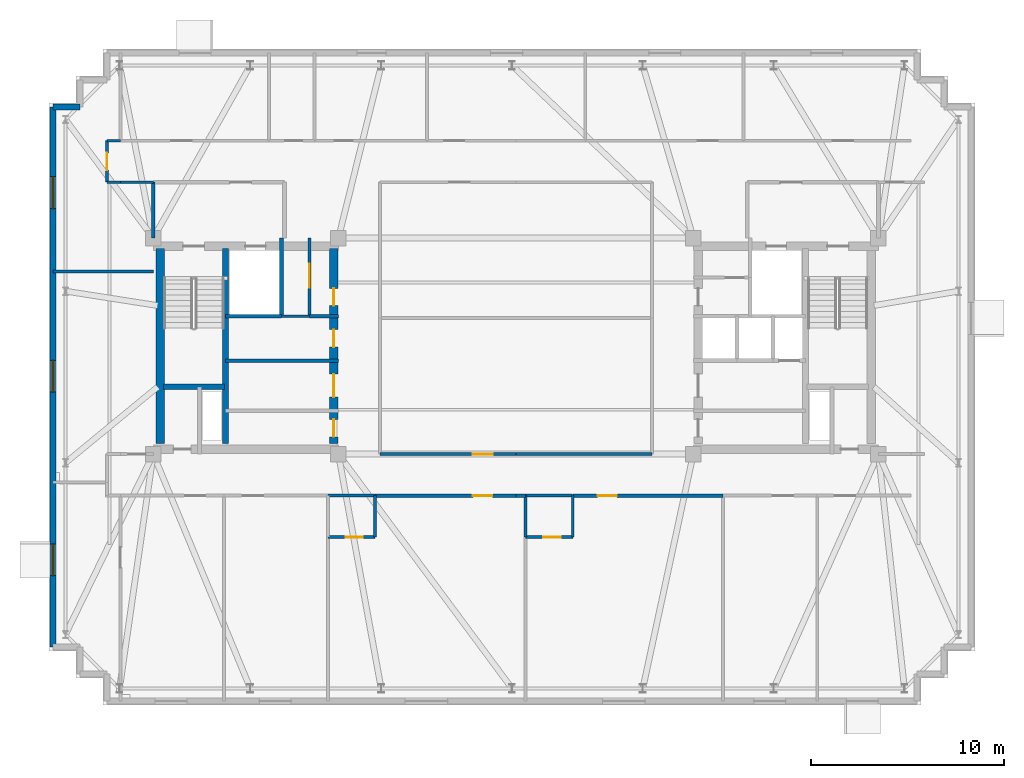
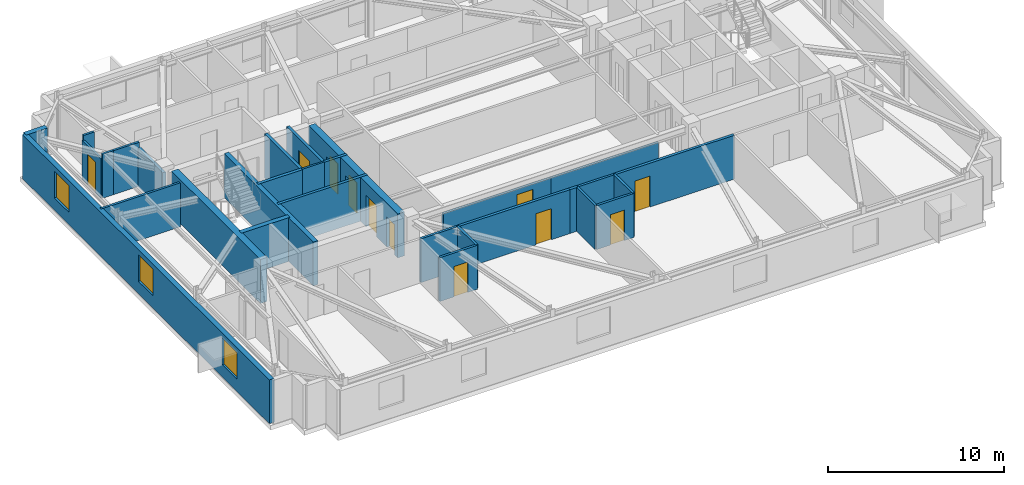
# One storey, part 6 of 11: 30 walls, 11 doors, 3 windows, 14 openings.
"""IFC4 building model written with IfcOpenShell, lengths in metres."""

from ifc_helpers import new_model, si_unit, direction, frame, frame_2d, origin, place, context, subcontext, project, spatial, rectangle, extrude, material, layer, layer_set, type_object, element, fill, save


model = new_model("IFC4")

# Units and contexts
model_context = context("Model", 3, precision=1e-05, world=origin(), true_north=direction((0.0, 1.0)))
body_context = subcontext(model_context, "Body", "Model", "MODEL_VIEW")
ifc_project = project(units=[si_unit("LENGTHUNIT", "METRE"), si_unit("AREAUNIT", "SQUARE_METRE"), si_unit("VOLUMEUNIT", "CUBIC_METRE"), si_unit("PLANEANGLEUNIT", "RADIAN"), si_unit("MASSUNIT", "GRAM", prefix="KILO")], contexts=[model_context])

# Site, building, storey
site_placement = place(None, origin())
site = spatial("IfcSite", under=ifc_project, at=site_placement, CompositionType="ELEMENT")
building_placement = place(site_placement, origin())
building = spatial("IfcBuilding", under=site, at=building_placement, Name="Qobustan Lattice House", CompositionType="ELEMENT")
storey_placement = place(building_placement, frame((0.0, 0.0, 255.10009765625)))
storey = spatial("IfcBuildingStorey", under=building, at=storey_placement, Name="L72", CompositionType="ELEMENT", Elevation=255.10009765625)

# Wall
ifc_material_1 = material(Name="Concrete C50/60", Category="concrete")
ifc_layer_1 = layer(ifc_material_1, 0.43994140625)
ifc_layer_set_1 = layer_set([ifc_layer_1], Name="Concrete C50/60")
wall_type_1 = type_object("IfcWallType", Name="WAL-CORE-440", PredefinedType="SHEAR", material=ifc_layer_set_1)
wall_1_placement = place(storey_placement, frame((-18.429931640625, -5.050048828125, 0.0), z_axis=(0.0, 0.0, 1.0), x_axis=(0.0, 1.0, 0.0)))
element("IfcWall", 1, at=wall_1_placement, inside=storey, type_object=wall_type_1, Name="L72 split-core shear wall CW-W", PredefinedType="SHEAR", context=body_context, shape_type="SweptSolid", body=[
    extrude(rectangle(XDim=10.10009765625, YDim=0.43994140625, at=frame_2d((5.050048828125, 0.0))), origin(), (0.0, 0.0, 1.0), 3.039794921875),
])

# Wall, openings, doors
wall_2_placement = place(storey_placement, frame((-9.449951171875, -5.050048828125, 0.0), z_axis=(0.0, 0.0, 1.0), x_axis=(0.0, 1.0, 0.0)))
wall_2 = element("IfcWall", 2, at=wall_2_placement, inside=storey, type_object=wall_type_1, Name="L72 split-core shear wall CW-E", PredefinedType="SHEAR", context=body_context, shape_type="SweptSolid", body=[
    extrude(rectangle(XDim=10.10009765625, YDim=0.43994140625, at=frame_2d((5.050048828125, 0.0))), origin(), (0.0, 0.0, 1.0), 3.039794921875),
])
opening_1_placement = place(wall_2_placement, frame((7.14990234375, 0.0, 0.0)))
opening_1 = element("IfcOpeningElement", 3, at=opening_1_placement, cuts=wall_2, Name="Opening RD-01", PredefinedType="OPENING", context=body_context, shape_type="SweptSolid", body=[
    extrude(rectangle(XDim=0.89990234375, YDim=2.10009765625, at=frame_2d((0.449951171875, 1.050048828125))), frame((0.0, 0.22998046875, 0.0), z_axis=(0.0, -1.0, 0.0), x_axis=(1.0, 0.0, 0.0)), (0.0, 0.0, 1.0), 0.4599609375),
])
opening_2_placement = place(wall_2_placement, frame((2.39990234375, 0.0, 0.0)))
opening_2 = element("IfcOpeningElement", 4, at=opening_2_placement, cuts=wall_2, Name="Opening FD-01", PredefinedType="OPENING", context=body_context, shape_type="SweptSolid", body=[
    extrude(rectangle(XDim=1.199951171875, YDim=2.14990234375, at=frame_2d((0.60009765625, 1.074951171875))), frame((0.0, 0.22998046875, 0.0), z_axis=(0.0, -1.0, 0.0), x_axis=(1.0, 0.0, 0.0)), (0.0, 0.0, 1.0), 0.4599609375),
])
opening_3_placement = place(wall_2_placement, frame((0.35009765625, 0.0, 0.0)))
opening_3 = element("IfcOpeningElement", 5, at=opening_3_placement, cuts=wall_2, Name="Opening RD-01", PredefinedType="OPENING", context=body_context, shape_type="SweptSolid", body=[
    extrude(rectangle(XDim=0.89990234375, YDim=2.10009765625, at=frame_2d((0.449951171875, 1.050048828125))), frame((0.0, 0.22998046875, 0.0), z_axis=(0.0, -1.0, 0.0), x_axis=(1.0, 0.0, 0.0)), (0.0, 0.0, 1.0), 0.4599609375),
])
opening_4_placement = place(wall_2_placement, frame((5.0, 0.0, 0.0)))
opening_4 = element("IfcOpeningElement", 6, at=opening_4_placement, cuts=wall_2, Name="Opening RD-01", PredefinedType="OPENING", context=body_context, shape_type="SweptSolid", body=[
    extrude(rectangle(XDim=0.89990234375, YDim=2.10009765625, at=frame_2d((0.449951171875, 1.050048828125))), frame((0.0, 0.22998046875, 0.0), z_axis=(0.0, -1.0, 0.0), x_axis=(1.0, 0.0, 0.0)), (0.0, 0.0, 1.0), 0.4599609375),
])
ifc_material_2 = material(Name="Persian walnut timber and steel frame door", Category="steel")
door_type_1 = type_object("IfcDoorType", Name="DOR-LOBBY-FD-1200x2150", OperationType="NOTDEFINED", PredefinedType="DOOR", material=ifc_material_2)
door_1_placement = place(opening_2_placement, origin())
door_1 = element("IfcDoor", 7, at=door_1_placement, inside=storey, type_object=door_type_1, Name="L72 West core foyer fire door", OperationType="SINGLE_SWING_LEFT", OverallHeight=2.14990234375, OverallWidth=1.199951171875, PredefinedType="DOOR", context=body_context, shape_type="SweptSolid", body=[
    extrude(rectangle(XDim=1.199951171875, YDim=2.14990234375, at=frame_2d((0.60009765625, 1.074951171875))), frame((0.0, 0.02490234375, 0.0), z_axis=(0.0, -1.0, 0.0), x_axis=(1.0, 0.0, 0.0)), (0.0, 0.0, 1.0), 0.050048828125),
])
fill(opening_2, door_1)
ifc_material_3 = material(Name="Persian walnut timber and steel frame door", Category="steel")
door_type_2 = type_object("IfcDoorType", Name="DOR-RISER-FD-900x2100", OperationType="NOTDEFINED", PredefinedType="DOOR", material=ifc_material_3)
door_2_placement = place(opening_1_placement, origin())
door_2 = element("IfcDoor", 8, at=door_2_placement, inside=storey, type_object=door_type_2, Name="L72 Data comms closet fire door", OperationType="SINGLE_SWING_RIGHT", OverallHeight=2.10009765625, OverallWidth=0.89990234375, PredefinedType="DOOR", context=body_context, shape_type="SweptSolid", body=[
    extrude(rectangle(XDim=0.89990234375, YDim=2.10009765625, at=frame_2d((0.449951171875, 1.050048828125))), frame((0.0, 0.02490234375, 0.0), z_axis=(0.0, -1.0, 0.0), x_axis=(1.0, 0.0, 0.0)), (0.0, 0.0, 1.0), 0.050048828125),
])
fill(opening_1, door_2)
door_3_placement = place(opening_3_placement, origin())
door_3 = element("IfcDoor", 9, at=door_3_placement, inside=storey, type_object=door_type_2, Name="L72 Collaborative study lounge fire door", OperationType="SINGLE_SWING_RIGHT", OverallHeight=2.10009765625, OverallWidth=0.89990234375, PredefinedType="DOOR", context=body_context, shape_type="SweptSolid", body=[
    extrude(rectangle(XDim=0.89990234375, YDim=2.10009765625, at=frame_2d((0.449951171875, 1.050048828125))), frame((0.0, 0.02490234375, 0.0), z_axis=(0.0, -1.0, 0.0), x_axis=(1.0, 0.0, 0.0)), (0.0, 0.0, 1.0), 0.050048828125),
])
fill(opening_3, door_3)
door_4_placement = place(opening_4_placement, origin())
door_4 = element("IfcDoor", 10, at=door_4_placement, inside=storey, type_object=door_type_2, Name="L72 Focus booth pod fire door", OperationType="SINGLE_SWING_LEFT", OverallHeight=2.10009765625, OverallWidth=0.89990234375, PredefinedType="DOOR", context=body_context, shape_type="SweptSolid", body=[
    extrude(rectangle(XDim=0.89990234375, YDim=2.10009765625, at=frame_2d((0.449951171875, 1.050048828125))), frame((0.0, 0.02490234375, 0.0), z_axis=(0.0, -1.0, 0.0), x_axis=(1.0, 0.0, 0.0)), (0.0, 0.0, 1.0), 0.050048828125),
])
fill(opening_4, door_4)

# Walls
ifc_material_4 = material(Name="Concrete C50/60", Category="concrete")
ifc_layer_2 = layer(ifc_material_4, 0.280029296875)
ifc_layer_set_2 = layer_set([ifc_layer_2], Name="Concrete C50/60")
wall_type_2 = type_object("IfcWallType", Name="WAL-CORE-SPINE-280", PredefinedType="SHEAR", material=ifc_layer_set_2)
wall_3_placement = place(storey_placement, frame((-15.050048828125, -5.050048828125, 0.0), z_axis=(0.0, 0.0, 1.0), x_axis=(0.0, 1.0, 0.0)))
element("IfcWall", 11, at=wall_3_placement, inside=storey, type_object=wall_type_2, Name="L72 split-core shear wall CW-M", PredefinedType="SHEAR", context=body_context, shape_type="SweptSolid", body=[
    extrude(rectangle(XDim=10.10009765625, YDim=0.300048828125, at=frame_2d((5.050048828125, 0.0))), origin(), (0.0, 0.0, 1.0), 3.039794921875),
])
wall_4_placement = place(storey_placement, frame((-18.280029296875, -2.110107421875, 0.0), z_axis=(0.0, 0.0, 1.0), x_axis=(1.0, 0.0, 0.0)))
element("IfcWall", 12, at=wall_4_placement, inside=storey, type_object=wall_type_2, Name="L72 split-core shear wall CW-ST", PredefinedType="SHEAR", context=body_context, shape_type="SweptSolid", body=[
    extrude(rectangle(XDim=3.179931640625, YDim=0.300048828125, at=frame_2d((1.58984375, 0.0))), origin(), (0.0, 0.0, 1.0), 3.039794921875),
])

# Wall, openings, windows
ifc_material_5 = material(Name="Precast concrete C40/50", Category="concrete")
ifc_layer_3 = layer(ifc_material_5, 0.320068359375)
ifc_layer_set_3 = layer_set([ifc_layer_3], Name="Precast concrete C40/50")
wall_type_3 = type_object("IfcWallType", Name="WAL-EXT-STONE-320", PredefinedType="SOLIDWALL", material=ifc_layer_set_3)
wall_5_placement = place(storey_placement, frame((-24.0, -15.60009765625, 0.0), z_axis=(0.0, 0.0, 1.0), x_axis=(0.0, 1.0, 0.0)))
wall_5 = element("IfcWall", 13, at=wall_5_placement, inside=storey, type_object=wall_type_3, Name="L72 exterior limestone-clad wall 5", PredefinedType="SOLIDWALL", context=body_context, shape_type="SweptSolid", body=[
    extrude(rectangle(XDim=28.0, YDim=0.320068359375, at=frame_2d((14.0, 0.0))), origin(), (0.0, 0.0, 1.0), 3.039794921875),
])
opening_5_placement = place(wall_5_placement, frame((3.695068359375, 0.0, 0.85009765625)))
opening_5 = element("IfcOpeningElement", 14, at=opening_5_placement, cuts=wall_5, Name="Opening WN-09", PredefinedType="OPENING", context=body_context, shape_type="SweptSolid", body=[
    extrude(rectangle(XDim=1.64990234375, YDim=1.85009765625, at=frame_2d((0.824951171875, 0.925048828125))), frame((0.0, 0.169921875, 0.0), z_axis=(0.0, -1.0, 0.0), x_axis=(1.0, 0.0, 0.0)), (0.0, 0.0, 1.0), 0.340087890625),
])
opening_6_placement = place(wall_5_placement, frame((13.215087890625, 0.0, 0.85009765625)))
opening_6 = element("IfcOpeningElement", 15, at=opening_6_placement, cuts=wall_5, Name="Opening WN-09", PredefinedType="OPENING", context=body_context, shape_type="SweptSolid", body=[
    extrude(rectangle(XDim=1.64990234375, YDim=1.85009765625, at=frame_2d((0.824951171875, 0.925048828125))), frame((0.0, 0.169921875, 0.0), z_axis=(0.0, -1.0, 0.0), x_axis=(1.0, 0.0, 0.0)), (0.0, 0.0, 1.0), 0.340087890625),
])
opening_7_placement = place(wall_5_placement, frame((22.735107421875, 0.0, 0.85009765625)))
opening_7 = element("IfcOpeningElement", 16, at=opening_7_placement, cuts=wall_5, Name="Opening WN-09", PredefinedType="OPENING", context=body_context, shape_type="SweptSolid", body=[
    extrude(rectangle(XDim=1.64990234375, YDim=1.85009765625, at=frame_2d((0.824951171875, 0.925048828125))), frame((0.0, 0.169921875, 0.0), z_axis=(0.0, -1.0, 0.0), x_axis=(1.0, 0.0, 0.0)), (0.0, 0.0, 1.0), 0.340087890625),
])
ifc_material_6 = material(Name="Double-glazed low-E aluminium window", Category="aluminium")
window_type = type_object("IfcWindowType", Name="WIN-STU-1650x1850", PartitioningType="SINGLE_PANEL", PredefinedType="WINDOW", material=ifc_material_6)
window_1_placement = place(opening_5_placement, origin())
window_1 = element("IfcWindow", 17, at=window_1_placement, inside=storey, type_object=window_type, Name="L72 Focus study room W1 window", OverallHeight=1.85009765625, OverallWidth=1.64990234375, PartitioningType="SINGLE_PANEL", PredefinedType="WINDOW", context=body_context, shape_type="SweptSolid", body=[
    extrude(rectangle(XDim=1.64990234375, YDim=1.85009765625, at=frame_2d((0.824951171875, 0.925048828125))), frame((0.0, 0.030029296875, 0.0), z_axis=(0.0, -1.0, 0.0), x_axis=(1.0, 0.0, 0.0)), (0.0, 0.0, 1.0), 0.06005859375),
])
fill(opening_5, window_1)
window_2_placement = place(opening_6_placement, origin())
window_2 = element("IfcWindow", 18, at=window_2_placement, inside=storey, type_object=window_type, Name="L72 Focus study room W2 window", OverallHeight=1.85009765625, OverallWidth=1.64990234375, PartitioningType="SINGLE_PANEL", PredefinedType="WINDOW", context=body_context, shape_type="SweptSolid", body=[
    extrude(rectangle(XDim=1.64990234375, YDim=1.85009765625, at=frame_2d((0.824951171875, 0.925048828125))), frame((0.0, 0.030029296875, 0.0), z_axis=(0.0, -1.0, 0.0), x_axis=(1.0, 0.0, 0.0)), (0.0, 0.0, 1.0), 0.06005859375),
])
fill(opening_6, window_2)
window_3_placement = place(opening_7_placement, origin())
window_3 = element("IfcWindow", 19, at=window_3_placement, inside=storey, type_object=window_type, Name="L72 Focus study room W3 window", OverallHeight=1.85009765625, OverallWidth=1.64990234375, PartitioningType="SINGLE_PANEL", PredefinedType="WINDOW", context=body_context, shape_type="SweptSolid", body=[
    extrude(rectangle(XDim=1.64990234375, YDim=1.85009765625, at=frame_2d((0.824951171875, 0.925048828125))), frame((0.0, 0.030029296875, 0.0), z_axis=(0.0, -1.0, 0.0), x_axis=(1.0, 0.0, 0.0)), (0.0, 0.0, 1.0), 0.06005859375),
])
fill(opening_7, window_3)

# Wall
wall_6_placement = place(storey_placement, frame((-24.0, 12.39990234375, 0.0), z_axis=(0.0, 0.0, 1.0), x_axis=(1.0, 0.0, 0.0)))
element("IfcWall", 20, at=wall_6_placement, inside=storey, type_object=wall_type_3, Name="L72 exterior limestone-clad wall 6", PredefinedType="SOLIDWALL", context=body_context, shape_type="SweptSolid", body=[
    extrude(rectangle(XDim=1.39990234375, YDim=0.320068359375, at=frame_2d((0.699951171875, 0.0))), origin(), (0.0, 0.0, 1.0), 3.039794921875),
])

# Wall, opening, door
ifc_material_7 = material(Name="Gypsum fireboard acoustic partition", Category="gypsum")
ifc_layer_4 = layer(ifc_material_7, 0.179931640625)
ifc_layer_set_4 = layer_set([ifc_layer_4], Name="Gypsum fireboard acoustic partition")
wall_type_4 = type_object("IfcWallType", Name="WAL-FIRE-180", PredefinedType="PARTITIONING", material=ifc_layer_set_4)
wall_7_placement = place(storey_placement, frame((-10.699951171875, 5.60009765625, 0.0), z_axis=(0.0, 0.0, 1.0), x_axis=(0.0, -1.0, 0.0)))
wall_7 = element("IfcWall", 21, at=wall_7_placement, inside=storey, type_object=wall_type_4, Name="L72 interior partition 6", PredefinedType="PARTITIONING", context=body_context, shape_type="SweptSolid", body=[
    extrude(rectangle(XDim=4.050048828125, YDim=0.179931640625, at=frame_2d((2.02490234375, 0.0))), origin(), (0.0, 0.0, 1.0), 3.039794921875),
])
opening_8_placement = place(wall_7_placement, frame((1.324951171875, 0.0, 0.0)))
opening_8 = element("IfcOpeningElement", 22, at=opening_8_placement, cuts=wall_7, Name="Opening FD-03", PredefinedType="OPENING", context=body_context, shape_type="SweptSolid", body=[
    extrude(rectangle(XDim=1.25, YDim=2.199951171875, at=frame_2d((0.625, 1.10009765625))), frame((0.0, 0.099853515625, 0.0), z_axis=(0.0, -1.0, 0.0), x_axis=(1.0, 0.0, 0.0)), (0.0, 0.0, 1.0), 0.199951171875),
])
ifc_material_8 = material(Name="Persian walnut timber and steel frame door", Category="steel")
door_type_3 = type_object("IfcDoorType", Name="DOR-PLANT-1250x2200", OperationType="NOTDEFINED", PredefinedType="DOOR", material=ifc_material_8)
door_5_placement = place(opening_8_placement, origin())
door_5 = element("IfcDoor", 23, at=door_5_placement, inside=storey, type_object=door_type_3, Name="L72 Data comms closet to Linen store door", OperationType="SINGLE_SWING_LEFT", OverallHeight=2.199951171875, OverallWidth=1.25, PredefinedType="DOOR", context=body_context, shape_type="SweptSolid", body=[
    extrude(rectangle(XDim=1.25, YDim=2.199951171875, at=frame_2d((0.625, 1.10009765625))), frame((0.0, 0.02490234375, 0.0), z_axis=(0.0, -1.0, 0.0), x_axis=(1.0, 0.0, 0.0)), (0.0, 0.0, 1.0), 0.050048828125),
])
fill(opening_8, door_5)

# Walls
wall_8_placement = place(storey_placement, frame((-10.699951171875, 1.550048828125, 0.0), z_axis=(0.0, 0.0, 1.0), x_axis=(1.0, 0.0, 0.0)))
element("IfcWall", 24, at=wall_8_placement, inside=storey, type_object=wall_type_4, Name="L72 interior partition 7", PredefinedType="PARTITIONING", context=body_context, shape_type="SweptSolid", body=[
    extrude(rectangle(XDim=1.5, YDim=0.179931640625, at=frame_2d((0.75, 0.0))), origin(), (0.0, 0.0, 1.0), 3.039794921875),
])
wall_9_placement = place(storey_placement, frame((-9.199951171875, -0.75, 0.0), z_axis=(0.0, 0.0, 1.0), x_axis=(-1.0, 0.0, 0.0)))
element("IfcWall", 25, at=wall_9_placement, inside=storey, type_object=wall_type_4, Name="L72 interior partition 11", PredefinedType="PARTITIONING", context=body_context, shape_type="SweptSolid", body=[
    extrude(rectangle(XDim=5.85009765625, YDim=0.179931640625, at=frame_2d((2.925048828125, 0.0))), origin(), (0.0, 0.0, 1.0), 3.039794921875),
])

# Wall, opening, door
wall_10_placement = place(storey_placement, frame((0.0, -7.75, 0.0), z_axis=(0.0, 0.0, 1.0), x_axis=(-1.0, 0.0, 0.0)))
wall_10 = element("IfcWall", 26, at=wall_10_placement, inside=storey, type_object=wall_type_4, Name="L72 interior partition 53", PredefinedType="PARTITIONING", context=body_context, shape_type="SweptSolid", body=[
    extrude(rectangle(XDim=7.300048828125, YDim=0.179931640625, at=frame_2d((3.64990234375, 0.0))), origin(), (0.0, 0.0, 1.0), 3.039794921875),
])
opening_9_placement = place(wall_10_placement, frame((1.222412109375, 0.0, 0.0)))
opening_9 = element("IfcOpeningElement", 27, at=opening_9_placement, cuts=wall_10, Name="Opening FD-02", PredefinedType="OPENING", context=body_context, shape_type="SweptSolid", body=[
    extrude(rectangle(XDim=1.0, YDim=2.14990234375, at=frame_2d((0.5, 1.074951171875))), frame((0.0, 0.099853515625, 0.0), z_axis=(0.0, -1.0, 0.0), x_axis=(1.0, 0.0, 0.0)), (0.0, 0.0, 1.0), 0.199951171875),
])
ifc_material_9 = material(Name="Persian walnut timber and steel frame door", Category="steel")
door_type_4 = type_object("IfcDoorType", Name="DOR-UNIT-FD-1000x2150", OperationType="NOTDEFINED", PredefinedType="DOOR", material=ifc_material_9)
door_6_placement = place(opening_9_placement, origin())
door_6 = element("IfcDoor", 28, at=door_6_placement, inside=storey, type_object=door_type_4, Name="L72 South-west floor corridor to Kitchenette and studio apartment L72-S2 door", OperationType="SINGLE_SWING_LEFT", OverallHeight=2.14990234375, OverallWidth=1.0, PredefinedType="DOOR", context=body_context, shape_type="SweptSolid", body=[
    extrude(rectangle(XDim=1.0, YDim=2.14990234375, at=frame_2d((0.5, 1.074951171875))), frame((0.0, 0.02490234375, 0.0), z_axis=(0.0, -1.0, 0.0), x_axis=(1.0, 0.0, 0.0)), (0.0, 0.0, 1.0), 0.050048828125),
])
fill(opening_9, door_6)

# Wall
wall_11_placement = place(storey_placement, frame((0.5, -7.75, 0.0), z_axis=(0.0, 0.0, 1.0), x_axis=(-1.0, 0.0, 0.0)))
element("IfcWall", 29, at=wall_11_placement, inside=storey, type_object=wall_type_4, Name="L72 interior partition 58", PredefinedType="PARTITIONING", context=body_context, shape_type="SweptSolid", body=[
    extrude(rectangle(XDim=0.5, YDim=0.179931640625, at=frame_2d((0.25, 0.0))), origin(), (0.0, 0.0, 1.0), 3.039794921875),
])

# Wall, opening, door
wall_12_placement = place(storey_placement, frame((10.75, -7.75, 0.0), z_axis=(0.0, 0.0, 1.0), x_axis=(-1.0, 0.0, 0.0)))
wall_12 = element("IfcWall", 30, at=wall_12_placement, inside=storey, type_object=wall_type_4, Name="L72 interior partition 59", PredefinedType="PARTITIONING", context=body_context, shape_type="SweptSolid", body=[
    extrude(rectangle(XDim=7.800048828125, YDim=0.179931640625, at=frame_2d((3.89990234375, 0.0))), origin(), (0.0, 0.0, 1.0), 3.039794921875),
])
opening_10_placement = place(wall_12_placement, frame((5.514892578125, 0.0, 0.0)))
opening_10 = element("IfcOpeningElement", 31, at=opening_10_placement, cuts=wall_12, Name="Opening FD-02", PredefinedType="OPENING", context=body_context, shape_type="SweptSolid", body=[
    extrude(rectangle(XDim=1.0, YDim=2.14990234375, at=frame_2d((0.5, 1.074951171875))), frame((0.0, 0.099853515625, 0.0), z_axis=(0.0, -1.0, 0.0), x_axis=(1.0, 0.0, 0.0)), (0.0, 0.0, 1.0), 0.199951171875),
])
door_7_placement = place(opening_10_placement, origin())
door_7 = element("IfcDoor", 32, at=door_7_placement, inside=storey, type_object=door_type_4, Name="L72 South-east floor corridor to Kitchenette and studio apartment L72-S3 door", OperationType="SINGLE_SWING_LEFT", OverallHeight=2.14990234375, OverallWidth=1.0, PredefinedType="DOOR", context=body_context, shape_type="SweptSolid", body=[
    extrude(rectangle(XDim=1.0, YDim=2.14990234375, at=frame_2d((0.5, 1.074951171875))), frame((0.0, 0.02490234375, 0.0), z_axis=(0.0, -1.0, 0.0), x_axis=(1.0, 0.0, 0.0)), (0.0, 0.0, 1.0), 0.050048828125),
])
fill(opening_10, door_7)

# Wall
ifc_material_10 = material(Name="Lightweight acoustic stud partition", Category="gypsum")
ifc_layer_5 = layer(ifc_material_10, 0.125)
ifc_layer_set_5 = layer_set([ifc_layer_5], Name="Lightweight acoustic stud partition")
wall_type_5 = type_object("IfcWallType", Name="WAL-PART-125", PredefinedType="PARTITIONING", material=ifc_layer_set_5)
wall_13_placement = place(storey_placement, frame((-12.14990234375, 1.550048828125, 0.0), z_axis=(0.0, 0.0, 1.0), x_axis=(1.0, 0.0, 0.0)))
element("IfcWall", 33, at=wall_13_placement, inside=storey, type_object=wall_type_5, Name="L72 interior partition 9", PredefinedType="PARTITIONING", context=body_context, shape_type="SweptSolid", body=[
    extrude(rectangle(XDim=1.449951171875, YDim=0.125, at=frame_2d((0.72509765625, 0.0))), origin(), (0.0, 0.0, 1.0), 3.039794921875),
])

# Wall, opening, door
ifc_material_11 = material(Name="Acoustic twin-stud gypsum partition", Category="gypsum")
ifc_layer_6 = layer(ifc_material_11, 0.14990234375)
ifc_layer_set_6 = layer_set([ifc_layer_6], Name="Acoustic twin-stud gypsum partition")
wall_type_6 = type_object("IfcWallType", Name="WAL-PART-150", PredefinedType="PARTITIONING", material=ifc_layer_set_6)
wall_14_placement = place(storey_placement, frame((-21.199951171875, 8.5, 0.0), z_axis=(0.0, 0.0, 1.0), x_axis=(0.0, 1.0, 0.0)))
wall_14 = element("IfcWall", 34, at=wall_14_placement, inside=storey, type_object=wall_type_6, Name="L72 interior partition 31", PredefinedType="PARTITIONING", context=body_context, shape_type="SweptSolid", body=[
    extrude(rectangle(XDim=2.14990234375, YDim=0.14990234375, at=frame_2d((1.074951171875, 0.0))), origin(), (0.0, 0.0, 1.0), 2.69482421875),
])
opening_11_placement = place(wall_14_placement, frame((0.625, 0.0, 0.0)))
opening_11 = element("IfcOpeningElement", 35, at=opening_11_placement, cuts=wall_14, Name="Opening WD-01", PredefinedType="OPENING", context=body_context, shape_type="SweptSolid", body=[
    extrude(rectangle(XDim=0.89990234375, YDim=2.10009765625, at=frame_2d((0.449951171875, 1.050048828125))), frame((0.0, 0.0849609375, 0.0), z_axis=(0.0, -1.0, 0.0), x_axis=(1.0, 0.0, 0.0)), (0.0, 0.0, 1.0), 0.169921875),
])
ifc_material_12 = material(Name="Persian walnut timber and steel frame door", Category="steel")
door_type_5 = type_object("IfcDoorType", Name="DOR-WET-900x2100", OperationType="NOTDEFINED", PredefinedType="DOOR", material=ifc_material_12)
door_8_placement = place(opening_11_placement, origin())
door_8 = element("IfcDoor", 36, at=door_8_placement, inside=storey, type_object=door_type_5, Name="L72 North-west floor corridor to Focus study room W3 door", OperationType="SINGLE_SWING_LEFT", OverallHeight=2.10009765625, OverallWidth=0.89990234375, PredefinedType="DOOR", context=body_context, shape_type="SweptSolid", body=[
    extrude(rectangle(XDim=0.89990234375, YDim=2.10009765625, at=frame_2d((0.449951171875, 1.050048828125))), frame((0.0, 0.02490234375, 0.0), z_axis=(0.0, -1.0, 0.0), x_axis=(1.0, 0.0, 0.0)), (0.0, 0.0, 1.0), 0.050048828125),
])
fill(opening_11, door_8)

# Walls
wall_15_placement = place(storey_placement, frame((-18.800048828125, 8.5, 0.0), z_axis=(0.0, 0.0, 1.0), x_axis=(-1.0, 0.0, 0.0)))
element("IfcWall", 37, at=wall_15_placement, inside=storey, type_object=wall_type_6, Name="L72 interior partition 32", PredefinedType="PARTITIONING", context=body_context, shape_type="SweptSolid", body=[
    extrude(rectangle(XDim=1.699951171875, YDim=0.14990234375, at=frame_2d((0.85009765625, 0.0))), origin(), (0.0, 0.0, 1.0), 3.039794921875),
])
for number, where, z_axis, x_axis, name in (
    (38, (-20.5, 8.5, 0.0), (0.0, 0.0, 1.0), (-1.0, 0.0, 0.0), "L72 interior partition 33"),
    (39, (-21.199951171875, 10.64990234375, 0.0), (0.0, 0.0, 1.0), (1.0, 0.0, 0.0), "L72 interior partition 34"),
):
    element("IfcWall", number, at=place(storey_placement, frame(where, z_axis=z_axis, x_axis=x_axis)), inside=storey, type_object=wall_type_6, Name=name, PredefinedType="PARTITIONING", context=body_context, shape_type="SweptSolid", body=[
        extrude(rectangle(XDim=0.699951171875, YDim=0.14990234375, at=frame_2d((0.35009765625, 0.0))), origin(), (0.0, 0.0, 1.0), 3.039794921875),
    ])

# Wall, opening, door
wall_16_placement = place(storey_placement, frame((-7.050048828125, -5.60009765625, 0.0), z_axis=(0.0, 0.0, 1.0), x_axis=(1.0, 0.0, 0.0)))
wall_16 = element("IfcWall", 40, at=wall_16_placement, inside=storey, type_object=wall_type_6, Name="L72 interior partition 55", PredefinedType="PARTITIONING", context=body_context, shape_type="SweptSolid", body=[
    extrude(rectangle(XDim=7.050048828125, YDim=0.14990234375, at=frame_2d((3.52490234375, 0.0))), origin(), (0.0, 0.0, 1.0), 2.52490234375),
])
opening_12_placement = place(wall_16_placement, frame((4.81494140625, 0.0, 0.0)))
opening_12 = element("IfcOpeningElement", 41, at=opening_12_placement, cuts=wall_16, Name="Opening ID-02", PredefinedType="OPENING", context=body_context, shape_type="SweptSolid", body=[
    extrude(rectangle(XDim=1.050048828125, YDim=2.14990234375, at=frame_2d((0.52490234375, 1.074951171875))), frame((0.0, 0.0849609375, 0.0), z_axis=(0.0, -1.0, 0.0), x_axis=(1.0, 0.0, 0.0)), (0.0, 0.0, 1.0), 0.169921875),
])
ifc_material_13 = material(Name="Persian walnut timber and steel frame door", Category="steel")
door_type_6 = type_object("IfcDoorType", Name="DOR-STUDY-1050x2150", OperationType="NOTDEFINED", PredefinedType="DOOR", material=ifc_material_13)
door_9_placement = place(opening_12_placement, origin())
door_9 = element("IfcDoor", 42, at=door_9_placement, inside=storey, type_object=door_type_6, Name="L72 South-west floor corridor to Academic seminar room door", OperationType="SINGLE_SWING_RIGHT", OverallHeight=2.14990234375, OverallWidth=1.050048828125, PredefinedType="DOOR", context=body_context, shape_type="SweptSolid", body=[
    extrude(rectangle(XDim=1.050048828125, YDim=2.14990234375, at=frame_2d((0.52490234375, 1.074951171875))), frame((0.0, 0.02490234375, 0.0), z_axis=(0.0, -1.0, 0.0), x_axis=(1.0, 0.0, 0.0)), (0.0, 0.0, 1.0), 0.050048828125),
])
fill(opening_12, door_9)

# Walls
wall_17_placement = place(storey_placement, frame((0.0, -5.60009765625, 0.0), z_axis=(0.0, 0.0, 1.0), x_axis=(1.0, 0.0, 0.0)))
element("IfcWall", 43, at=wall_17_placement, inside=storey, type_object=wall_type_6, Name="L72 interior partition 63", PredefinedType="PARTITIONING", context=body_context, shape_type="SweptSolid", body=[
    extrude(rectangle(XDim=7.050048828125, YDim=0.14990234375, at=frame_2d((3.52490234375, 0.0))), origin(), (0.0, 0.0, 1.0), 2.52490234375),
])
wall_18_placement = place(storey_placement, frame((-24.0, 3.860107421875, 0.0), z_axis=(0.0, 0.0, 1.0), x_axis=(1.0, 0.0, 0.0)))
element("IfcWall", 44, at=wall_18_placement, inside=storey, type_object=wall_type_6, Name="L72 interior partition 70", PredefinedType="PARTITIONING", context=body_context, shape_type="SweptSolid", body=[
    extrude(rectangle(XDim=5.199951171875, YDim=0.14990234375, at=frame_2d((2.60009765625, 0.0))), origin(), (0.0, 0.0, 1.0), 3.039794921875),
])
ifc_material_14 = material(Name="Two-hour gypsum fireboard acoustic partition", Category="gypsum")
ifc_layer_7 = layer(ifc_material_14, 0.199951171875)
ifc_layer_set_7 = layer_set([ifc_layer_7], Name="Two-hour gypsum fireboard acoustic partition")
wall_type_7 = type_object("IfcWallType", Name="WAL-PROT-200", PredefinedType="PARTITIONING", material=ifc_layer_set_7)
wall_19_placement = place(storey_placement, frame((-18.800048828125, 8.5, 0.0), z_axis=(0.0, 0.0, 1.0), x_axis=(0.0, -1.0, 0.0)))
element("IfcWall", 45, at=wall_19_placement, inside=storey, type_object=wall_type_7, Name="L72 interior partition 5", PredefinedType="PARTITIONING", context=body_context, shape_type="SweptSolid", body=[
    extrude(rectangle(XDim=2.89990234375, YDim=0.199951171875, at=frame_2d((1.449951171875, 0.0))), origin(), (0.0, 0.0, 1.0), 2.664794921875),
])
ifc_material_15 = material(Name="Concrete C40/50", Category="concrete")
ifc_layer_8 = layer(ifc_material_15, 0.199951171875)
ifc_layer_set_8 = layer_set([ifc_layer_8], Name="Concrete C40/50")
wall_type_8 = type_object("IfcWallType", Name="WAL-SHAFT-200", PredefinedType="PARTITIONING", material=ifc_layer_set_8)
wall_20_placement = place(storey_placement, frame((-12.14990234375, 1.550048828125, 0.0), z_axis=(0.0, 0.0, 1.0), x_axis=(0.0, 1.0, 0.0)))
element("IfcWall", 46, at=wall_20_placement, inside=storey, type_object=wall_type_8, Name="L72 interior partition 2", PredefinedType="PARTITIONING", context=body_context, shape_type="SweptSolid", body=[
    extrude(rectangle(XDim=4.050048828125, YDim=0.199951171875, at=frame_2d((2.02490234375, 0.0))), origin(), (0.0, 0.0, 1.0), 3.039794921875),
])
wall_21_placement = place(storey_placement, frame((-15.050048828125, 1.550048828125, 0.0), z_axis=(0.0, 0.0, 1.0), x_axis=(1.0, 0.0, 0.0)))
element("IfcWall", 47, at=wall_21_placement, inside=storey, type_object=wall_type_8, Name="L72 interior partition 89", PredefinedType="PARTITIONING", context=body_context, shape_type="SweptSolid", body=[
    extrude(rectangle(XDim=2.900146484375, YDim=0.199951171875, at=frame_2d((1.4501953125, 0.0))), origin(), (0.0, 0.0, 1.0), 3.039794921875),
])
ifc_material_16 = material(Name="Moisture-resistant acoustic plumbing wall", Category="gypsum")
ifc_layer_9 = layer(ifc_material_16, 0.14990234375)
ifc_layer_set_9 = layer_set([ifc_layer_9], Name="Moisture-resistant acoustic plumbing wall")
wall_type_9 = type_object("IfcWallType", Name="WAL-WET-150", PredefinedType="PLUMBINGWALL", material=ifc_layer_set_9)
for number, where, z_axis, x_axis, name in (
    (48, (-7.300048828125, -7.75, 0.0), (0.0, 0.0, 1.0), (-1.0, 0.0, 0.0), "L72 interior partition 54"),
    (49, (2.949951171875, -7.75, 0.0), (0.0, 0.0, 1.0), (-1.0, 0.0, 0.0), "L72 interior partition 60"),
):
    element("IfcWall", number, at=place(storey_placement, frame(where, z_axis=z_axis, x_axis=x_axis)), inside=storey, type_object=wall_type_9, Name=name, PredefinedType="PLUMBINGWALL", context=body_context, shape_type="SweptSolid", body=[
        extrude(rectangle(XDim=2.449951171875, YDim=0.14990234375, at=frame_2d((1.22509765625, 0.0))), origin(), (0.0, 0.0, 1.0), 3.039794921875),
    ])

# Wall, opening, door
wall_22_placement = place(storey_placement, frame((-9.75, -9.89990234375, 0.0), z_axis=(0.0, 0.0, 1.0), x_axis=(1.0, 0.0, 0.0)))
wall_22 = element("IfcWall", 50, at=wall_22_placement, inside=storey, type_object=wall_type_9, Name="L72 interior partition 80", PredefinedType="PLUMBINGWALL", context=body_context, shape_type="SweptSolid", body=[
    extrude(rectangle(XDim=2.449951171875, YDim=0.14990234375, at=frame_2d((1.22509765625, 0.0))), origin(), (0.0, 0.0, 1.0), 3.039794921875),
])
opening_13_placement = place(wall_22_placement, frame((0.92138671875, 0.0, 0.0)))
opening_13 = element("IfcOpeningElement", 51, at=opening_13_placement, cuts=wall_22, Name="Opening WD-01", PredefinedType="OPENING", context=body_context, shape_type="SweptSolid", body=[
    extrude(rectangle(XDim=0.89990234375, YDim=2.10009765625, at=frame_2d((0.449951171875, 1.050048828125))), frame((0.0, 0.0849609375, 0.0), z_axis=(0.0, -1.0, 0.0), x_axis=(1.0, 0.0, 0.0)), (0.0, 0.0, 1.0), 0.169921875),
])
door_10_placement = place(opening_13_placement, origin())
door_10 = element("IfcDoor", 52, at=door_10_placement, inside=storey, type_object=door_type_5, Name="L72 Kitchenette and studio apartment L72-S2 to En-suite bathroom L72-S2 door", OperationType="SINGLE_SWING_LEFT", OverallHeight=2.10009765625, OverallWidth=0.89990234375, PredefinedType="DOOR", context=body_context, shape_type="SweptSolid", body=[
    extrude(rectangle(XDim=0.89990234375, YDim=2.10009765625, at=frame_2d((0.449951171875, 1.050048828125))), frame((0.0, 0.02490234375, 0.0), z_axis=(0.0, -1.0, 0.0), x_axis=(1.0, 0.0, 0.0)), (0.0, 0.0, 1.0), 0.050048828125),
])
fill(opening_13, door_10)

# Walls
for number, where, z_axis, x_axis, name in (
    (53, (-7.300048828125, -9.89990234375, 0.0), (0.0, 0.0, 1.0), (0.0, 1.0, 0.0), "L72 interior partition 81"),
    (54, (0.5, -7.75, 0.0), (0.0, 0.0, 1.0), (0.0, -1.0, 0.0), "L72 interior partition 83"),
):
    element("IfcWall", number, at=place(storey_placement, frame(where, z_axis=z_axis, x_axis=x_axis)), inside=storey, type_object=wall_type_9, Name=name, PredefinedType="PLUMBINGWALL", context=body_context, shape_type="SweptSolid", body=[
        extrude(rectangle(XDim=2.14990234375, YDim=0.14990234375, at=frame_2d((1.074951171875, 0.0))), origin(), (0.0, 0.0, 1.0), 3.039794921875),
    ])

# Wall, opening, door
wall_23_placement = place(storey_placement, frame((0.5, -9.89990234375, 0.0), z_axis=(0.0, 0.0, 1.0), x_axis=(1.0, 0.0, 0.0)))
wall_23 = element("IfcWall", 55, at=wall_23_placement, inside=storey, type_object=wall_type_9, Name="L72 interior partition 84", PredefinedType="PLUMBINGWALL", context=body_context, shape_type="SweptSolid", body=[
    extrude(rectangle(XDim=2.449951171875, YDim=0.14990234375, at=frame_2d((1.22509765625, 0.0))), origin(), (0.0, 0.0, 1.0), 3.039794921875),
])
opening_14_placement = place(wall_23_placement, frame((0.92138671875, 0.0, 0.0)))
opening_14 = element("IfcOpeningElement", 56, at=opening_14_placement, cuts=wall_23, Name="Opening WD-01", PredefinedType="OPENING", context=body_context, shape_type="SweptSolid", body=[
    extrude(rectangle(XDim=0.89990234375, YDim=2.10009765625, at=frame_2d((0.449951171875, 1.050048828125))), frame((0.0, 0.0849609375, 0.0), z_axis=(0.0, -1.0, 0.0), x_axis=(1.0, 0.0, 0.0)), (0.0, 0.0, 1.0), 0.169921875),
])
door_11_placement = place(opening_14_placement, origin())
door_11 = element("IfcDoor", 57, at=door_11_placement, inside=storey, type_object=door_type_5, Name="L72 Kitchenette and studio apartment L72-S3 to En-suite bathroom L72-S3 door", OperationType="SINGLE_SWING_RIGHT", OverallHeight=2.10009765625, OverallWidth=0.89990234375, PredefinedType="DOOR", context=body_context, shape_type="SweptSolid", body=[
    extrude(rectangle(XDim=0.89990234375, YDim=2.10009765625, at=frame_2d((0.449951171875, 1.050048828125))), frame((0.0, 0.02490234375, 0.0), z_axis=(0.0, -1.0, 0.0), x_axis=(1.0, 0.0, 0.0)), (0.0, 0.0, 1.0), 0.050048828125),
])
fill(opening_14, door_11)

# Wall
wall_24_placement = place(storey_placement, frame((2.949951171875, -9.89990234375, 0.0), z_axis=(0.0, 0.0, 1.0), x_axis=(0.0, 1.0, 0.0)))
element("IfcWall", 58, at=wall_24_placement, inside=storey, type_object=wall_type_9, Name="L72 interior partition 85", PredefinedType="PLUMBINGWALL", context=body_context, shape_type="SweptSolid", body=[
    extrude(rectangle(XDim=2.14990234375, YDim=0.14990234375, at=frame_2d((1.074951171875, 0.0))), origin(), (0.0, 0.0, 1.0), 3.039794921875),
])

save(model, "model.ifc")
